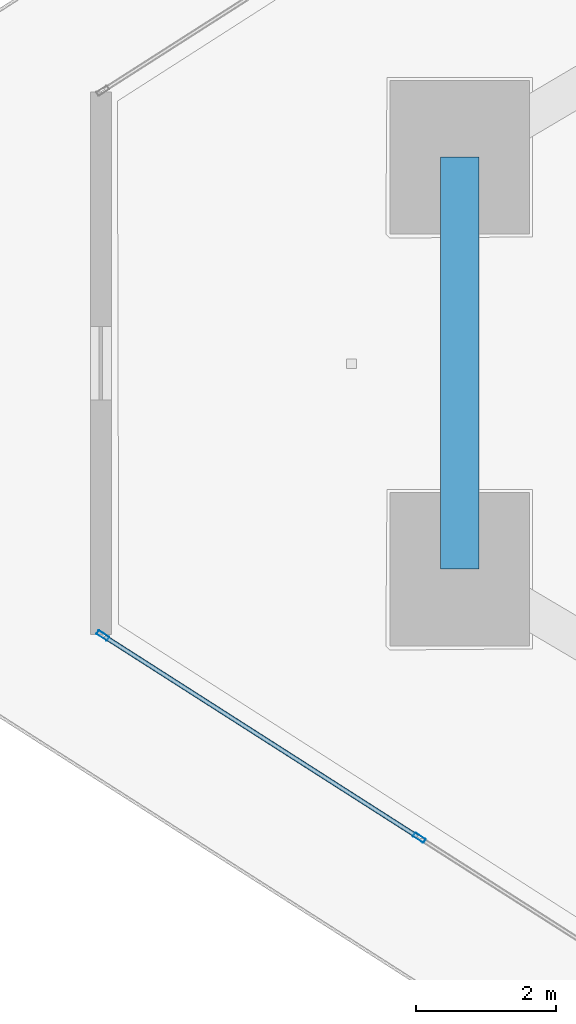
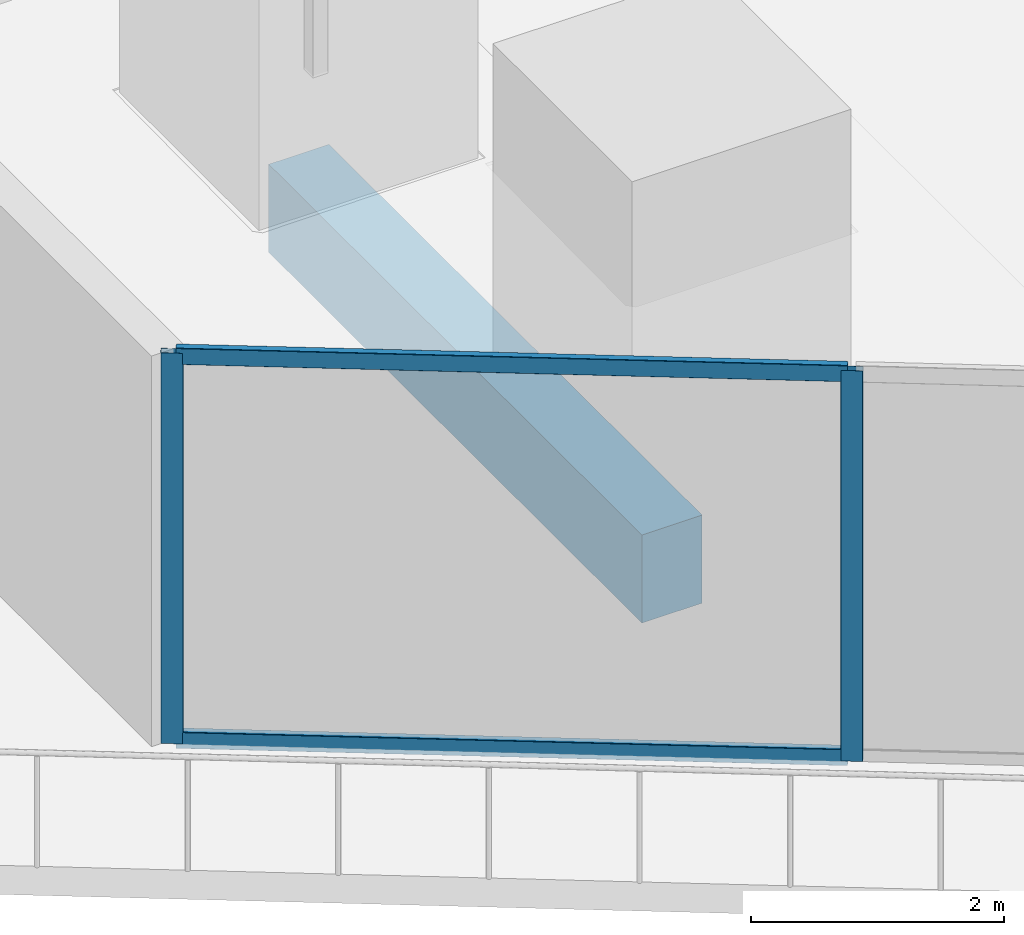
# One storey, part 4 of 44: 4 members, 1 beam, 1 element without a shape of its own.
"""IFC4 building model written with IfcOpenShell, lengths in metres."""

from ifc_helpers import new_model, si_unit, direction, frame, origin, origin_2d, place, context, subcontext, project, spatial, rectangle, hollow_rectangle, extrude, material, layer, layer_set, material_profile, profile_set, type_object, element, aggregate, save


model = new_model("IFC4")

# Units and contexts
model_context = context("Model", 3, precision=1e-05, world=origin(), true_north=direction((0.0, 1.0)))
body_context = subcontext(model_context, "Body", "Model", "MODEL_VIEW")
ifc_project = project(units=[si_unit("LENGTHUNIT", "METRE"), si_unit("AREAUNIT", "SQUARE_METRE"), si_unit("VOLUMEUNIT", "CUBIC_METRE"), si_unit("PLANEANGLEUNIT", "RADIAN"), si_unit("MASSUNIT", "GRAM", prefix="KILO")], contexts=[model_context])

# Site, building, storey
site_placement = place(None, origin())
site = spatial("IfcSite", under=ifc_project, at=site_placement, CompositionType="ELEMENT")
building_placement = place(site_placement, origin())
building = spatial("IfcBuilding", under=site, at=building_placement, Name="Qorvath Tower", CompositionType="ELEMENT")
storey_placement = place(building_placement, frame((0.0, 0.0, 113.85009765625)))
storey = spatial("IfcBuildingStorey", under=building, at=storey_placement, Name="L25", CompositionType="ELEMENT", Elevation=113.85009765625)

# Beam
ifc_material_1 = material(Name="Concrete C50/60", Category="concrete")
ifc_material_profile_1 = material_profile(ifc_material_1, rectangle(XDim=0.550048828125, YDim=0.85009765625, at=origin_2d()), Name="RCB 850x550")
ifc_profile_set_1 = profile_set([ifc_material_profile_1], Name="Concrete C50/60")
beam_type = type_object("IfcBeamType", Name="BM-RCB2", PredefinedType="SPANDREL", material=ifc_profile_set_1)
beam_placement = place(storey_placement, frame((-53.04931640625, 2.95068359375, -0.705078125), z_axis=(0.0, -1.0, 0.0), x_axis=(1.0, 0.0, 0.0)))
element("IfcBeam", 1, at=beam_placement, inside=storey, type_object=beam_type, Name="Perimeter Loggia Frame Beam MC1-MC2 L25", PredefinedType="SPANDREL", context=body_context, shape_type="SweptSolid", body=[
    extrude(rectangle(XDim=0.550048828125, YDim=0.85009765625, at=origin_2d()), origin(), (0.0, 0.0, 1.0), 5.9013671875),
])

# Curtain wall, members
ifc_material_2 = material(Name="Anodised aluminium and triple low-E glass", Category="aluminium")
ifc_layer = layer(ifc_material_2, 0.179931640625)
ifc_layer_set = layer_set([ifc_layer], Name="CW-SYS-2")
curtain_wall_type = type_object("IfcCurtainWallType", Name="CW-SYS-2", PredefinedType="NOTDEFINED", material=ifc_layer_set)
curtain_wall_placement = place(storey_placement, origin())
curtain_wall = element("IfcCurtainWall", 2, at=curtain_wall_placement, inside=storey, type_object=curtain_wall_type, Name="Curtain Wall CW-2 CW-T-L25-2.1", PredefinedType="NOTDEFINED")
ifc_material_3 = material(Name="Anodised aluminium 6063-T6", Category="aluminium")
ifc_material_profile_2 = material_profile(ifc_material_3, hollow_rectangle(XDim=0.06494140625, YDim=0.179931640625, WallThickness=0.00341796875, InnerFilletRadius=0.00341796875, OuterFilletRadius=0.007080078125, at=origin_2d()), Name="CWM 180x65")
ifc_profile_set_2 = profile_set([ifc_material_profile_2], Name="Anodised aluminium 6063-T6")
member_type_1 = type_object("IfcMemberType", Name="CWM-180", PredefinedType="MULLION", material=ifc_profile_set_2)
member_1_placement = place(storey_placement, frame((-58.1630859375, -3.902587890625, 0.0), z_axis=(0.0, 0.0, 1.0), x_axis=(0.538529946269, 0.84260637131, 0.0)))
member_1 = element("IfcMember", 3, at=member_1_placement, type_object=member_type_1, Name="CW-2 mullion 1", PredefinedType="MULLION", context=body_context, shape_type="SweptSolid", body=[
    extrude(hollow_rectangle(XDim=0.06494140625, YDim=0.179931640625, WallThickness=0.00341796875, InnerFilletRadius=0.00341796875, OuterFilletRadius=0.007080078125, at=origin_2d()), origin(), (0.0, 0.0, 1.0), 3.77001953125),
])
member_2_placement = place(storey_placement, frame((-53.629638671875, -6.7998046875, 0.0), z_axis=(0.0, 0.0, 1.0), x_axis=(0.538529946269, 0.84260637131, 0.0)))
member_2 = element("IfcMember", 4, at=member_2_placement, type_object=member_type_1, Name="CW-2 mullion 2", PredefinedType="MULLION", context=body_context, shape_type="SweptSolid", body=[
    extrude(hollow_rectangle(XDim=0.06494140625, YDim=0.179931640625, WallThickness=0.00341796875, InnerFilletRadius=0.00341796875, OuterFilletRadius=0.007080078125, at=origin_2d()), origin(), (0.0, 0.0, 1.0), 3.77001953125),
])
ifc_material_4 = material(Name="Anodised aluminium 6063-T6", Category="aluminium")
ifc_material_profile_3 = material_profile(ifc_material_4, hollow_rectangle(XDim=0.06494140625, YDim=0.159912109375, WallThickness=0.00341796875, InnerFilletRadius=0.00341796875, OuterFilletRadius=0.007080078125, at=origin_2d()), Name="CWT 160x65")
ifc_profile_set_3 = profile_set([ifc_material_profile_3], Name="Anodised aluminium 6063-T6")
member_type_2 = type_object("IfcMemberType", Name="CWT-160", PredefinedType="USERDEFINED", material=ifc_profile_set_3)
member_3_placement = place(storey_placement, frame((-58.1357421875, -3.919921875, 0.032470703125), z_axis=(0.842608257158, -0.53852699558, 0.0), x_axis=(0.53852699558, 0.842608257158, 0.0)))
member_3 = element("IfcMember", 5, at=member_3_placement, type_object=member_type_2, Name="CW-2 transom 1.1", ObjectType="TRANSOM", PredefinedType="USERDEFINED", context=body_context, shape_type="SweptSolid", body=[
    extrude(hollow_rectangle(XDim=0.06494140625, YDim=0.159912109375, WallThickness=0.00341796875, InnerFilletRadius=0.00341796875, OuterFilletRadius=0.007080078125, at=origin_2d()), origin(), (0.0, 0.0, 1.0), 5.31494140625),
])
member_4_placement = place(storey_placement, frame((-58.1357421875, -3.919921875, 3.737548828125), z_axis=(0.842608257158, -0.53852699558, 0.0), x_axis=(0.53852699558, 0.842608257158, 0.0)))
member_4 = element("IfcMember", 6, at=member_4_placement, type_object=member_type_2, Name="CW-2 transom 1.2", ObjectType="TRANSOM", PredefinedType="USERDEFINED", context=body_context, shape_type="SweptSolid", body=[
    extrude(hollow_rectangle(XDim=0.06494140625, YDim=0.159912109375, WallThickness=0.00341796875, InnerFilletRadius=0.00341796875, OuterFilletRadius=0.007080078125, at=origin_2d()), origin(), (0.0, 0.0, 1.0), 5.31494140625),
])
aggregate(curtain_wall, [member_1, member_2, member_3, member_4])

save(model, "model.ifc")
